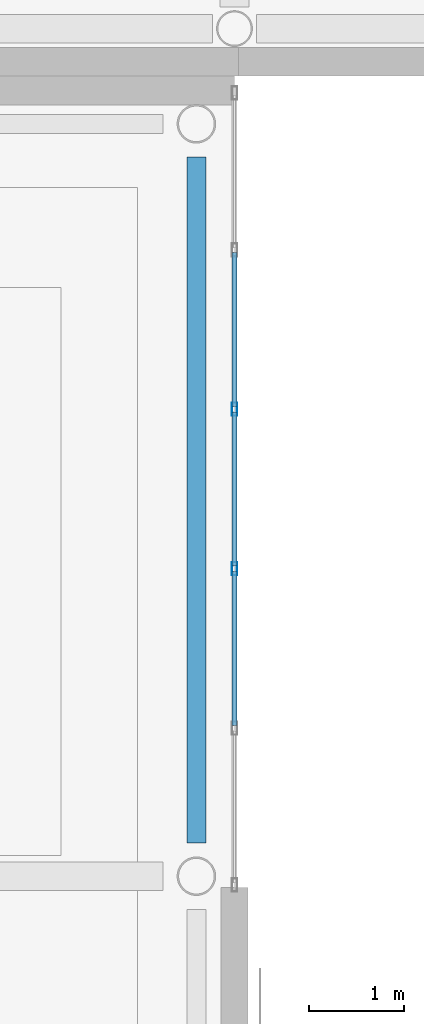
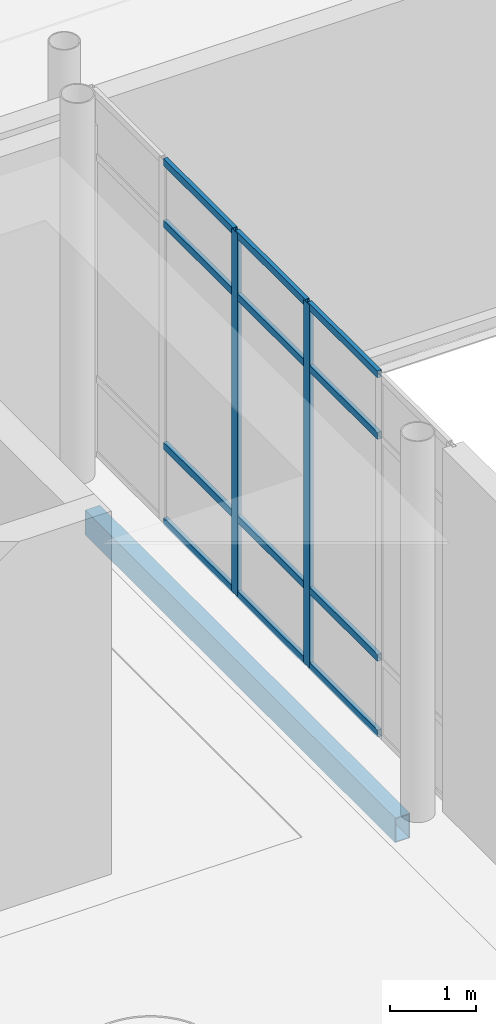
# One storey, part 42 of 110: 14 members, 1 beam, 1 element without a shape of its own.
"""IFC4 building model written with IfcOpenShell, lengths in metres."""

from ifc_helpers import new_model, si_unit, direction, frame, origin, origin_2d, place, context, subcontext, project, spatial, hollow_rectangle, extrude, material, layer, layer_set, material_profile, profile_set, type_object, element, aggregate, save


model = new_model("IFC4")

# Units and contexts
model_context = context("Model", 3, precision=1e-05, world=origin(), true_north=direction((0.0, 1.0)))
body_context = subcontext(model_context, "Body", "Model", "MODEL_VIEW")
ifc_project = project(units=[si_unit("LENGTHUNIT", "METRE"), si_unit("AREAUNIT", "SQUARE_METRE"), si_unit("VOLUMEUNIT", "CUBIC_METRE"), si_unit("PLANEANGLEUNIT", "RADIAN"), si_unit("MASSUNIT", "GRAM", prefix="KILO"), si_unit("THERMODYNAMICTEMPERATUREUNIT", "KELVIN")], contexts=[model_context])

# Site, building, storey
site_placement = place(None, origin())
site = spatial("IfcSite", under=ifc_project, at=site_placement, CompositionType="ELEMENT")
building_placement = place(site_placement, origin())
building = spatial("IfcBuilding", under=site, at=building_placement, Name="Lustrewick Department Store", CompositionType="ELEMENT")
storey_placement = place(building_placement, frame((0.0, 0.0, 6.0)))
storey = spatial("IfcBuildingStorey", under=building, at=storey_placement, Name="L02", CompositionType="ELEMENT", Elevation=6.0)

# Curtain wall, members
ifc_material_1 = material(Name="Thermally broken aluminium 6063-T5", Category="aluminium")
ifc_layer = layer(ifc_material_1, 0.139892578125, Name="Thermally broken aluminium 6063-T5")
ifc_layer_set = layer_set([ifc_layer], Name="Thermally broken aluminium 6063-T5")
curtain_wall_type = type_object("IfcCurtainWallType", Name="CW06", PredefinedType="NOTDEFINED", material=ifc_layer_set)
curtain_wall_placement = place(storey_placement, origin())
curtain_wall = element("IfcCurtainWall", 1, at=curtain_wall_placement, inside=storey, type_object=curtain_wall_type, Name="L02 V3 Curtain Wall CW06", PredefinedType="NOTDEFINED")
ifc_material_profile_1 = material_profile(ifc_material_1, hollow_rectangle(XDim=0.054931640625, YDim=0.139892578125, WallThickness=0.00341796875, at=origin_2d()), Name="ALU-M 55x140x3.5")
ifc_profile_set_1 = profile_set([ifc_material_profile_1], Name="Thermally broken aluminium 6063-T5")
member_type_1 = type_object("IfcMemberType", Name="CW06-M1", PredefinedType="MULLION", material=ifc_profile_set_1)
member_1_placement = place(storey_placement, frame((151.199951171875, 45.22802734375, 0.0), z_axis=(0.0, 0.0, 1.0), x_axis=(-1.0, 0.0, 0.0)))
member_1 = element("IfcMember", 2, at=member_1_placement, type_object=member_type_1, Name="CW06 mullion 3", PredefinedType="MULLION", context=body_context, shape_type="SweptSolid", body=[
    extrude(hollow_rectangle(XDim=0.054931640625, YDim=0.139892578125, WallThickness=0.00341796875, at=origin_2d()), origin(), (0.0, 0.0, 1.0), 5.14501953125),
])
member_2_placement = place(storey_placement, frame((151.199951171875, 46.902099609375, 0.0), z_axis=(0.0, 0.0, 1.0), x_axis=(-1.0, 0.0, 0.0)))
member_2 = element("IfcMember", 3, at=member_2_placement, type_object=member_type_1, Name="CW06 mullion 4", PredefinedType="MULLION", context=body_context, shape_type="SweptSolid", body=[
    extrude(hollow_rectangle(XDim=0.054931640625, YDim=0.139892578125, WallThickness=0.00341796875, at=origin_2d()), origin(), (0.0, 0.0, 1.0), 5.14501953125),
])
ifc_material_profile_2 = material_profile(ifc_material_1, hollow_rectangle(XDim=0.054931640625, YDim=0.10009765625, WallThickness=0.0029296875, at=origin_2d()), Name="ALU-T 55x100x3")
ifc_profile_set_2 = profile_set([ifc_material_profile_2], Name="Thermally broken aluminium 6063-T5")
member_type_2 = type_object("IfcMemberType", Name="CW06-T1", PredefinedType="USERDEFINED", material=ifc_profile_set_2)
member_3_placement = place(storey_placement, frame((151.199951171875, 43.58154296875, 0.027587890625), z_axis=(0.0, 1.0, 0.0), x_axis=(-1.0, 0.0, 0.0)))
member_3 = element("IfcMember", 4, at=member_3_placement, type_object=member_type_2, Name="CW06 transom 2.1", ObjectType="TRANSOM", PredefinedType="USERDEFINED", context=body_context, shape_type="SweptSolid", body=[
    extrude(hollow_rectangle(XDim=0.054931640625, YDim=0.10009765625, WallThickness=0.0029296875, at=origin_2d()), origin(), (0.0, 0.0, 1.0), 1.618896484375),
])
member_4_placement = place(storey_placement, frame((151.199951171875, 43.58154296875, 1.10009765625), z_axis=(0.0, 1.0, 0.0), x_axis=(-1.0, 0.0, 0.0)))
member_4 = element("IfcMember", 5, at=member_4_placement, type_object=member_type_2, Name="CW06 transom 2.2", ObjectType="TRANSOM", PredefinedType="USERDEFINED", context=body_context, shape_type="SweptSolid", body=[
    extrude(hollow_rectangle(XDim=0.054931640625, YDim=0.10009765625, WallThickness=0.0029296875, at=origin_2d()), origin(), (0.0, 0.0, 1.0), 1.618896484375),
])
member_5_placement = place(storey_placement, frame((151.199951171875, 43.58154296875, 4.2451171875), z_axis=(0.0, 1.0, 0.0), x_axis=(-1.0, 0.0, 0.0)))
member_5 = element("IfcMember", 6, at=member_5_placement, type_object=member_type_2, Name="CW06 transom 2.3", ObjectType="TRANSOM", PredefinedType="USERDEFINED", context=body_context, shape_type="SweptSolid", body=[
    extrude(hollow_rectangle(XDim=0.054931640625, YDim=0.10009765625, WallThickness=0.0029296875, at=origin_2d()), origin(), (0.0, 0.0, 1.0), 1.618896484375),
])
member_6_placement = place(storey_placement, frame((151.199951171875, 43.58154296875, 5.117431640625), z_axis=(0.0, 1.0, 0.0), x_axis=(-1.0, 0.0, 0.0)))
member_6 = element("IfcMember", 7, at=member_6_placement, type_object=member_type_2, Name="CW06 transom 2.4", ObjectType="TRANSOM", PredefinedType="USERDEFINED", context=body_context, shape_type="SweptSolid", body=[
    extrude(hollow_rectangle(XDim=0.054931640625, YDim=0.10009765625, WallThickness=0.0029296875, at=origin_2d()), origin(), (0.0, 0.0, 1.0), 1.618896484375),
])
member_7_placement = place(storey_placement, frame((151.199951171875, 45.255615234375, 0.027587890625), z_axis=(0.0, 1.0, 0.0), x_axis=(-1.0, 0.0, 0.0)))
member_7 = element("IfcMember", 8, at=member_7_placement, type_object=member_type_2, Name="CW06 transom 3.1", ObjectType="TRANSOM", PredefinedType="USERDEFINED", context=body_context, shape_type="SweptSolid", body=[
    extrude(hollow_rectangle(XDim=0.054931640625, YDim=0.10009765625, WallThickness=0.0029296875, at=origin_2d()), origin(), (0.0, 0.0, 1.0), 1.618896484375),
])
member_8_placement = place(storey_placement, frame((151.199951171875, 45.255615234375, 1.10009765625), z_axis=(0.0, 1.0, 0.0), x_axis=(-1.0, 0.0, 0.0)))
member_8 = element("IfcMember", 9, at=member_8_placement, type_object=member_type_2, Name="CW06 transom 3.2", ObjectType="TRANSOM", PredefinedType="USERDEFINED", context=body_context, shape_type="SweptSolid", body=[
    extrude(hollow_rectangle(XDim=0.054931640625, YDim=0.10009765625, WallThickness=0.0029296875, at=origin_2d()), origin(), (0.0, 0.0, 1.0), 1.618896484375),
])
member_9_placement = place(storey_placement, frame((151.199951171875, 45.255615234375, 4.2451171875), z_axis=(0.0, 1.0, 0.0), x_axis=(-1.0, 0.0, 0.0)))
member_9 = element("IfcMember", 10, at=member_9_placement, type_object=member_type_2, Name="CW06 transom 3.3", ObjectType="TRANSOM", PredefinedType="USERDEFINED", context=body_context, shape_type="SweptSolid", body=[
    extrude(hollow_rectangle(XDim=0.054931640625, YDim=0.10009765625, WallThickness=0.0029296875, at=origin_2d()), origin(), (0.0, 0.0, 1.0), 1.618896484375),
])
member_10_placement = place(storey_placement, frame((151.199951171875, 45.255615234375, 5.117431640625), z_axis=(0.0, 1.0, 0.0), x_axis=(-1.0, 0.0, 0.0)))
member_10 = element("IfcMember", 11, at=member_10_placement, type_object=member_type_2, Name="CW06 transom 3.4", ObjectType="TRANSOM", PredefinedType="USERDEFINED", context=body_context, shape_type="SweptSolid", body=[
    extrude(hollow_rectangle(XDim=0.054931640625, YDim=0.10009765625, WallThickness=0.0029296875, at=origin_2d()), origin(), (0.0, 0.0, 1.0), 1.618896484375),
])
member_11_placement = place(storey_placement, frame((151.199951171875, 46.929443359375, 0.027587890625), z_axis=(0.0, 1.0, 0.0), x_axis=(-1.0, 0.0, 0.0)))
member_11 = element("IfcMember", 12, at=member_11_placement, type_object=member_type_2, Name="CW06 transom 4.1", ObjectType="TRANSOM", PredefinedType="USERDEFINED", context=body_context, shape_type="SweptSolid", body=[
    extrude(hollow_rectangle(XDim=0.054931640625, YDim=0.10009765625, WallThickness=0.0029296875, at=origin_2d()), origin(), (0.0, 0.0, 1.0), 1.619140625),
])
member_12_placement = place(storey_placement, frame((151.199951171875, 46.929443359375, 1.10009765625), z_axis=(0.0, 1.0, 0.0), x_axis=(-1.0, 0.0, 0.0)))
member_12 = element("IfcMember", 13, at=member_12_placement, type_object=member_type_2, Name="CW06 transom 4.2", ObjectType="TRANSOM", PredefinedType="USERDEFINED", context=body_context, shape_type="SweptSolid", body=[
    extrude(hollow_rectangle(XDim=0.054931640625, YDim=0.10009765625, WallThickness=0.0029296875, at=origin_2d()), origin(), (0.0, 0.0, 1.0), 1.619140625),
])
member_13_placement = place(storey_placement, frame((151.199951171875, 46.929443359375, 4.2451171875), z_axis=(0.0, 1.0, 0.0), x_axis=(-1.0, 0.0, 0.0)))
member_13 = element("IfcMember", 14, at=member_13_placement, type_object=member_type_2, Name="CW06 transom 4.3", ObjectType="TRANSOM", PredefinedType="USERDEFINED", context=body_context, shape_type="SweptSolid", body=[
    extrude(hollow_rectangle(XDim=0.054931640625, YDim=0.10009765625, WallThickness=0.0029296875, at=origin_2d()), origin(), (0.0, 0.0, 1.0), 1.619140625),
])
member_14_placement = place(storey_placement, frame((151.199951171875, 46.929443359375, 5.117431640625), z_axis=(0.0, 1.0, 0.0), x_axis=(-1.0, 0.0, 0.0)))
member_14 = element("IfcMember", 15, at=member_14_placement, type_object=member_type_2, Name="CW06 transom 4.4", ObjectType="TRANSOM", PredefinedType="USERDEFINED", context=body_context, shape_type="SweptSolid", body=[
    extrude(hollow_rectangle(XDim=0.054931640625, YDim=0.10009765625, WallThickness=0.0029296875, at=origin_2d()), origin(), (0.0, 0.0, 1.0), 1.619140625),
])
aggregate(curtain_wall, [member_1, member_2, member_3, member_4, member_5, member_6, member_7, member_8, member_9, member_10, member_11, member_12, member_13, member_14])

# Beam
ifc_material_2 = material(Name="Structural steel Q355C", Category="steel")
ifc_material_profile_3 = material_profile(ifc_material_2, hollow_rectangle(XDim=0.199951171875, YDim=0.35009765625, WallThickness=0.011962890625, at=origin_2d()), Name="RHS 350x200x12")
ifc_profile_set_3 = profile_set([ifc_material_profile_3], Name="Structural steel Q355C")
beam_type = type_object("IfcBeamType", Name="SP03", PredefinedType="SPANDREL", material=ifc_profile_set_3)
beam_placement = place(storey_placement, frame((150.800048828125, 42.35009765625, -0.429931640625), z_axis=(0.0, 1.0, 0.0), x_axis=(-1.0, 0.0, 0.0)))
element("IfcBeam", 16, at=beam_placement, inside=storey, type_object=beam_type, Name="L02 V3 Girder SP03", PredefinedType="SPANDREL", context=body_context, shape_type="SweptSolid", body=[
    extrude(hollow_rectangle(XDim=0.199951171875, YDim=0.35009765625, WallThickness=0.011962890625, at=origin_2d()), origin(), (0.0, 0.0, 1.0), 7.199951171875),
])

save(model, "model.ifc")
